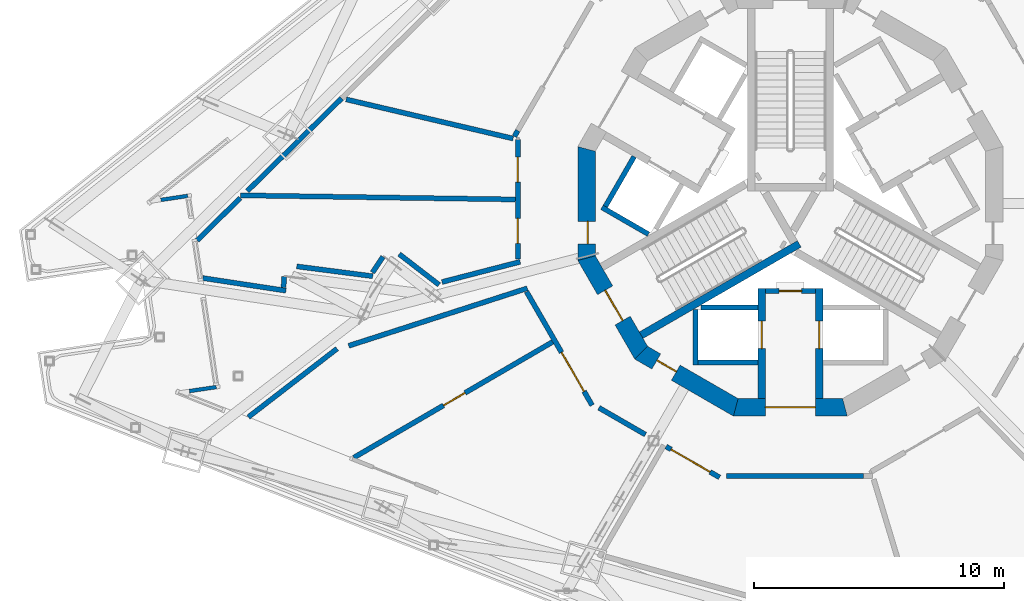
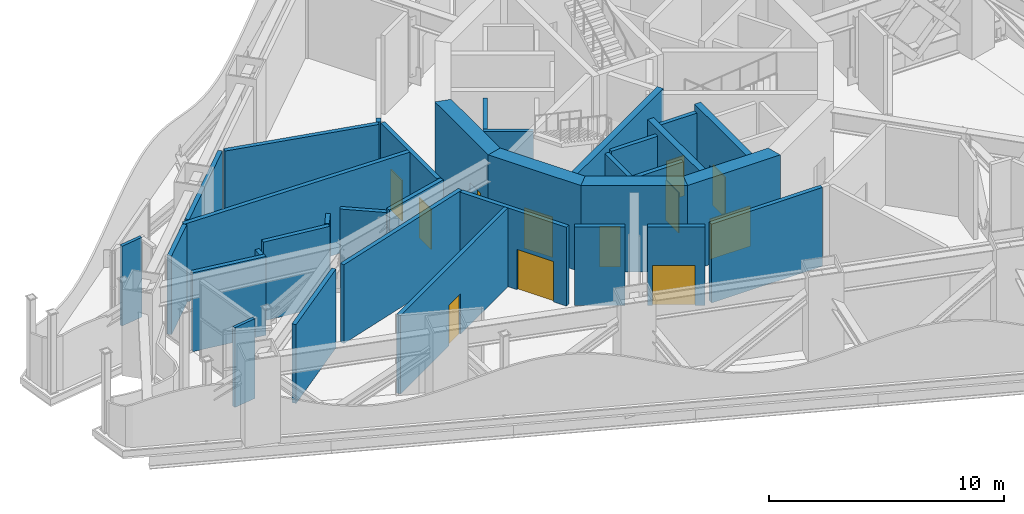
# One storey, part 10 of 27: 34 walls, 12 doors, 12 openings.
"""IFC4 building model written with IfcOpenShell, lengths in metres."""

import ifcopenshell
import ifcopenshell.guid

model = None  # the IFC model being written
_history = None  # IfcOwnerHistory: only IFC2X3 demands one
_inside = {}  # id of a spatial element -> (the spatial element, [elements in it])
_under = {}  # id of a project, library or spatial element -> (it, [spatial elements below it])
_declared = {}  # id of a project -> (the project, [libraries it declares])
_typed = {}  # id of a type object -> (the type object, [elements of that type])
_made_of = {}  # id of a material, layer set ... -> (it, [elements and type objects made of it])


def new_model(schema):
    """Start an empty IFC model of exactly this schema.

    Asked for "IFC4X3", IfcOpenShell would pick the latest addendum, in which some entities
    have other attributes; the version numbers below select the first issue.
    IFC2X3 requires an IfcOwnerHistory on every rooted entity: one is made here for all.
    """
    global model, _history
    if schema == "IFC4X3":
        model = ifcopenshell.file(schema_version=(4, 3, 0, 0))
    else:
        model = ifcopenshell.file(schema=schema)
    _inside.clear()
    _under.clear()
    _declared.clear()
    _typed.clear()
    _made_of.clear()
    _history = None
    if model.schema == "IFC2X3":
        org = make("IfcOrganization", Name="unknown")
        user = make(
            "IfcPersonAndOrganization",
            ThePerson=make("IfcPerson", FamilyName="unknown"),
            TheOrganization=org,
        )
        app = make(
            "IfcApplication",
            ApplicationDeveloper=org,
            Version="unknown",
            ApplicationFullName="unknown",
            ApplicationIdentifier="unknown",
        )
        _history = make(
            "IfcOwnerHistory",
            OwningUser=user,
            OwningApplication=app,
            ChangeAction="ADDED",
            CreationDate=0,
        )
    return model


def make(cls, **values):
    """One entity of the class cls with the attributes given. An attribute that is None is left unset."""
    return model.create_entity(
        cls, **{name: value for name, value in values.items() if value is not None}
    )


def rooted(cls, **values):
    """An entity with a GlobalId (a new one), such as an element, a storey or a relation."""
    return make(cls, GlobalId=ifcopenshell.guid.new(), OwnerHistory=_history, **values)


def si_unit(unit_type, name, prefix=None):
    """IfcSIUnit, for example si_unit("LENGTHUNIT", "METRE", prefix="MILLI")."""
    return make("IfcSIUnit", UnitType=unit_type, Prefix=prefix, Name=name)


def assignment(units):
    """IfcUnitAssignment: the units of a project."""
    return None if units is None else make("IfcUnitAssignment", Units=units)


def point(xyz):
    """IfcCartesianPoint."""
    return None if xyz is None else make("IfcCartesianPoint", Coordinates=xyz)


def direction(xyz):
    """IfcDirection."""
    return None if xyz is None else make("IfcDirection", DirectionRatios=xyz)


def frame(location, z_axis=None, x_axis=None):
    """IfcAxis2Placement3D, a coordinate frame: its origin and axes. An axis left out is left unset."""
    return make(
        "IfcAxis2Placement3D",
        Location=point(location),
        Axis=direction(z_axis),
        RefDirection=direction(x_axis),
    )


def frame_2d(location, x_axis=None):
    """IfcAxis2Placement2D, a coordinate frame in the plane: its origin and x axis."""
    return make(
        "IfcAxis2Placement2D", Location=point(location), RefDirection=direction(x_axis)
    )


def origin():
    """The frame at (0, 0, 0) with its axes left unset."""
    return frame((0.0, 0.0, 0.0))


def place(relative_to, where):
    """IfcLocalPlacement: puts the frame where relative to a parent placement (None: the world)."""
    return make(
        "IfcLocalPlacement", PlacementRelTo=relative_to, RelativePlacement=where
    )


def context(
    kind, dimensions, precision=None, world=None, true_north=None, identifier=None
):
    """IfcGeometricRepresentationContext, for example the 3D "Model" context."""
    return make(
        "IfcGeometricRepresentationContext",
        ContextIdentifier=identifier,
        ContextType=kind,
        CoordinateSpaceDimension=dimensions,
        Precision=precision,
        WorldCoordinateSystem=world,
        TrueNorth=true_north,
    )


def subcontext(parent, identifier, kind, view, scale=None):
    """IfcGeometricRepresentationSubContext, for example "Body" below "Model"."""
    return make(
        "IfcGeometricRepresentationSubContext",
        ContextIdentifier=identifier,
        ContextType=kind,
        ParentContext=parent,
        TargetScale=scale,
        TargetView=view,
    )


def project(units=None, contexts=None):
    """IfcProject with its units and contexts."""
    return rooted(
        "IfcProject",
        Name="project",
        RepresentationContexts=contexts,
        UnitsInContext=assignment(units),
    )


def spatial(cls, under=None, at=None, **own):
    """A site, building, storey or space (cls), placed at a placement, below another one or the project."""
    s = rooted(cls, ObjectPlacement=at, **own)
    if under is not None:
        _under.setdefault(under.id(), (under, []))[1].append(s)
    return s


def polyline(points):
    """IfcPolyline through the points."""
    return make("IfcPolyline", Points=[point(p) for p in points])


def profile(cls, at=None, kind="AREA", **sizes):
    """A parametric profile (cls). Its sizes go by their IFC names, for example OverallWidth=200.0."""
    return make(cls, ProfileType=kind, Position=at, **sizes)


def rectangle(**sizes):
    """IfcRectangleProfileDef."""
    return profile("IfcRectangleProfileDef", **sizes)


def outline(outer, holes=None, kind="AREA"):
    """IfcArbitraryClosedProfileDef: a profile drawn as a closed curve; with holes, ...WithVoids."""
    if holes is None:
        return make("IfcArbitraryClosedProfileDef", ProfileType=kind, OuterCurve=outer)
    return make(
        "IfcArbitraryProfileDefWithVoids",
        ProfileType=kind,
        OuterCurve=outer,
        InnerCurves=holes,
    )


def extrude(swept, where, along, depth):
    """IfcExtrudedAreaSolid: the profile swept, set in the frame where, extruded along a direction by depth."""
    return make(
        "IfcExtrudedAreaSolid",
        SweptArea=swept,
        Position=where,
        ExtrudedDirection=direction(along),
        Depth=depth,
    )


def shape(context_of_items, identifier, shape_type, items):
    """IfcShapeRepresentation: the items that make up one representation, for example the "Body"."""
    return make(
        "IfcShapeRepresentation",
        ContextOfItems=context_of_items,
        RepresentationIdentifier=identifier,
        RepresentationType=shape_type,
        Items=items,
    )


def material(Name=None, Category=None):
    """IfcMaterial."""
    return make("IfcMaterial", Name=Name, Category=Category)


def layer(
    of_material, thickness, ventilated=None, Name=None, Category=None, Priority=None
):
    """IfcMaterialLayer: one layer of a wall or slab, of a material (None: an air gap)."""
    return make(
        "IfcMaterialLayer",
        Material=of_material,
        LayerThickness=thickness,
        IsVentilated=ventilated,
        Name=Name,
        Category=Category,
        Priority=Priority,
    )


def layer_set(layers, Name=None):
    """IfcMaterialLayerSet."""
    return make("IfcMaterialLayerSet", MaterialLayers=layers, LayerSetName=Name)


def made_of(thing, what):
    """Note that an element or type object is made of a material, layer set ...; save() writes the relation."""
    if what is not None:
        _made_of.setdefault(what.id(), (what, []))[1].append(thing)
    return thing


def type_object(cls, material=None, **own):
    """A type object (cls), such as IfcWallType, which elements share."""
    return made_of(rooted(cls, **own), material)


def element(
    cls,
    number,
    at=None,
    inside=None,
    cuts=None,
    type_object=None,
    material=None,
    context=None,
    identifier="Body",
    shape_type=None,
    held_by="IfcProductDefinitionShape",
    body=None,
    shapes=None,
    **own,
):
    """One element of the class cls, such as IfcWall. Its Tag is "e" and its number.

    at: its placement. inside: the storey or other place that contains it. cuts: it is an
    opening in that element (IfcRelVoidsElement). A single representation is given by context,
    identifier, shape_type and body (its items); several are given by shapes. held_by: the class
    of the entity that holds the representations. save() writes the other relations.
    """
    e = rooted(cls, Tag="e%d" % number, ObjectPlacement=at, **own)
    if body is not None:
        shapes = [shape(context, identifier, shape_type, body)]
    if shapes is not None:
        e.Representation = make(held_by, Representations=shapes)
    if inside is not None:
        _inside.setdefault(inside.id(), (inside, []))[1].append(e)
    if cuts is not None:
        rooted(
            "IfcRelVoidsElement", RelatingBuildingElement=cuts, RelatedOpeningElement=e
        )
    if type_object is not None:
        _typed.setdefault(type_object.id(), (type_object, []))[1].append(e)
    return made_of(e, material)


def fill(opening, filler):
    """IfcRelFillsElement: the door or window that sits in an opening."""
    return rooted(
        "IfcRelFillsElement",
        RelatingOpeningElement=opening,
        RelatedBuildingElement=filler,
    )


def aggregate(whole, parts):
    """IfcRelAggregates: a whole, such as a stair, and the parts it consists of."""
    return rooted("IfcRelAggregates", RelatingObject=whole, RelatedObjects=parts)


def save(model, path):
    """Write the relations noted so far, then the file.

    IfcRelAggregates (storeys below a building ...), IfcRelContainedInSpatialStructure (elements
    in a storey), IfcRelDefinesByType, IfcRelAssociatesMaterial and IfcRelDeclares: one each for
    every whole, place, type object, material and project.
    """
    for whole, parts in _under.values():
        aggregate(whole, parts)
    for where, things in _inside.values():
        rooted(
            "IfcRelContainedInSpatialStructure",
            RelatedElements=things,
            RelatingStructure=where,
        )
    for kind, things in _typed.values():
        rooted("IfcRelDefinesByType", RelatedObjects=things, RelatingType=kind)
    for what, things in _made_of.values():
        rooted("IfcRelAssociatesMaterial", RelatedObjects=things, RelatingMaterial=what)
    for by, libraries in _declared.values():
        rooted("IfcRelDeclares", RelatingContext=by, RelatedDefinitions=libraries)
    model.write(path)


model = new_model("IFC4")

# Units and contexts
model_context = context("Model", 3, precision=1e-05, world=origin(), true_north=direction((0.0, 1.0)))
body_context = subcontext(model_context, "Body", "Model", "MODEL_VIEW")
ifc_project = project(units=[si_unit("LENGTHUNIT", "METRE"), si_unit("AREAUNIT", "SQUARE_METRE"), si_unit("VOLUMEUNIT", "CUBIC_METRE"), si_unit("PLANEANGLEUNIT", "RADIAN"), si_unit("MASSUNIT", "GRAM", prefix="KILO")], contexts=[model_context])

# Site, building, storey
site_placement = place(None, origin())
site = spatial("IfcSite", under=ifc_project, at=site_placement, CompositionType="ELEMENT")
building_placement = place(site_placement, origin())
building = spatial("IfcBuilding", under=site, at=building_placement, Name="Trine Commons Tower", CompositionType="ELEMENT")
storey_placement = place(building_placement, frame((0.0, 0.0, 230.39990234375)))
storey = spatial("IfcBuildingStorey", under=building, at=storey_placement, Name="L60", CompositionType="ELEMENT", Elevation=230.39990234375)

# Walls
ifc_material_1 = material(Name="Plasterboard on steel stud", Category="steel")
ifc_layer_1 = layer(ifc_material_1, 0.199951171875)
ifc_layer_set_1 = layer_set([ifc_layer_1], Name="Plasterboard on steel stud")
wall_type_1 = type_object("IfcWallType", Name="Fire wall 200 mm, EI 120", PredefinedType="PARTITIONING", material=ifc_layer_set_1)
wall_1_placement = place(storey_placement, frame((56.278076171875, 61.02880859375, 0.0), z_axis=(0.0, 0.0, 1.0), x_axis=(0.713230309235, 0.700929758242, 0.0)))
element("IfcWall", 1, at=wall_1_placement, inside=storey, type_object=wall_type_1, Name="Partition M60001", PredefinedType="PARTITIONING", context=body_context, shape_type="SweptSolid", body=[
    extrude(rectangle(XDim=2.42138671875, YDim=0.199951171875, at=frame_2d((1.210693359375, 0.0))), origin(), (0.0, 0.0, 1.0), 4.10009765625),
])
wall_2_placement = place(storey_placement, frame((56.50341796875, 59.5205078125, 0.0), z_axis=(0.0, 0.0, 1.0), x_axis=(0.988644654354, -0.150272244333, 0.0)))
element("IfcWall", 2, at=wall_2_placement, inside=storey, type_object=wall_type_1, Name="Partition M60002", PredefinedType="PARTITIONING", context=body_context, shape_type="SweptSolid", body=[
    extrude(rectangle(XDim=3.361328125, YDim=0.199951171875, at=frame_2d((1.6806640625, 0.0))), origin(), (0.0, 0.0, 1.0), 4.10009765625),
])
wall_3_placement = place(storey_placement, frame((58.00634765625, 62.8271484375, 0.0), z_axis=(0.0, 0.0, 1.0), x_axis=(0.999889292097, -0.014879635424, 0.0)))
element("IfcWall", 3, at=wall_3_placement, inside=storey, type_object=wall_type_1, Name="Partition M60003", PredefinedType="PARTITIONING", context=body_context, shape_type="SweptSolid", body=[
    extrude(rectangle(XDim=10.9931640625, YDim=0.199951171875, at=frame_2d((5.49658203125, 0.0))), origin(), (0.0, 0.0, 1.0), 4.10009765625),
])
wall_4_placement = place(storey_placement, frame((58.279052734375, 62.995361328125, 0.0), z_axis=(0.0, 0.0, 1.0), x_axis=(0.713259176596, 0.700900383079, 0.0)))
element("IfcWall", 4, at=wall_4_placement, inside=storey, type_object=wall_type_1, Name="Partition M60004", PredefinedType="PARTITIONING", context=body_context, shape_type="SweptSolid", body=[
    extrude(rectangle(XDim=5.294189453125, YDim=0.199951171875, at=frame_2d((2.64697265625, 0.0))), origin(), (0.0, 0.0, 1.0), 4.10009765625),
])
wall_5_placement = place(storey_placement, frame((58.324951171875, 53.961181640625, 0.0), z_axis=(0.0, 0.0, 1.0), x_axis=(0.791837226979, 0.610732188418, 0.0)))
element("IfcWall", 5, at=wall_5_placement, inside=storey, type_object=wall_type_1, Name="Partition M60005", PredefinedType="PARTITIONING", context=body_context, shape_type="SweptSolid", body=[
    extrude(rectangle(XDim=4.4794921875, YDim=0.199951171875, at=frame_2d((2.23974609375, 0.0))), origin(), (0.0, 0.0, 1.0), 4.10009765625),
])
wall_6_placement = place(storey_placement, frame((59.73291015625, 59.141357421875, 0.0), z_axis=(0.0, 0.0, 1.0), x_axis=(0.046806415779, 0.99890397909, 0.0)))
element("IfcWall", 6, at=wall_6_placement, inside=storey, type_object=wall_type_1, Name="Partition M60006", PredefinedType="PARTITIONING", context=body_context, shape_type="SweptSolid", body=[
    extrude(rectangle(XDim=0.443359375, YDim=0.199951171875, at=frame_2d((0.2216796875, 0.0))), origin(), (0.0, 0.0, 1.0), 4.10009765625),
])
wall_7_placement = place(storey_placement, frame((60.25927734375, 59.9873046875, 0.0), z_axis=(0.0, 0.0, 1.0), x_axis=(0.991722040769, -0.128403247051, 0.0)))
element("IfcWall", 7, at=wall_7_placement, inside=storey, type_object=wall_type_1, Name="Partition M60007", PredefinedType="PARTITIONING", context=body_context, shape_type="SweptSolid", body=[
    extrude(rectangle(XDim=3.06689453125, YDim=0.199951171875, at=frame_2d((1.533447265625, 0.0))), origin(), (0.0, 0.0, 1.0), 4.10009765625),
])
wall_8_placement = place(storey_placement, frame((62.33837890625, 56.811767578125, 0.0), z_axis=(0.0, 0.0, 1.0), x_axis=(0.951845913642, 0.306576836507, 0.0)))
element("IfcWall", 8, at=wall_8_placement, inside=storey, type_object=wall_type_1, Name="Partition M60008", PredefinedType="PARTITIONING", context=body_context, shape_type="SweptSolid", body=[
    extrude(rectangle(XDim=7.503173828125, YDim=0.199951171875, at=frame_2d((3.75146484375, 0.0))), origin(), (0.0, 0.0, 1.0), 4.10009765625),
])
wall_9_placement = place(storey_placement, frame((62.2333984375, 66.666015625, 0.0), z_axis=(0.0, 0.0, 1.0), x_axis=(0.97359185166, -0.228295655635, 0.0)))
element("IfcWall", 9, at=wall_9_placement, inside=storey, type_object=wall_type_1, Name="Partition M60009", PredefinedType="PARTITIONING", context=body_context, shape_type="SweptSolid", body=[
    extrude(rectangle(XDim=6.8623046875, YDim=0.199951171875, at=frame_2d((3.43115234375, 0.0))), origin(), (0.0, 0.0, 1.0), 4.10009765625),
])

# Wall, opening, door
wall_10_placement = place(storey_placement, frame((70.4921875, 56.967041015625, 0.0), z_axis=(0.0, 0.0, 1.0), x_axis=(-0.864300097116, -0.502976482676, 0.0)))
wall_10 = element("IfcWall", 10, at=wall_10_placement, inside=storey, type_object=wall_type_1, Name="Partition M60011", PredefinedType="PARTITIONING", context=body_context, shape_type="SweptSolid", body=[
    extrude(rectangle(XDim=9.2001953125, YDim=0.199951171875, at=frame_2d((4.60009765625, 0.0))), origin(), (0.0, 0.0, 1.0), 4.10009765625),
])
opening_1_placement = place(wall_10_placement, frame((4.0498046875, 0.0, 0.0)))
opening_1 = element("IfcOpeningElement", 11, at=opening_1_placement, cuts=wall_10, Name="Opening D-M6001", PredefinedType="OPENING", context=body_context, shape_type="SweptSolid", body=[
    extrude(rectangle(XDim=1.0, YDim=2.10009765625, at=frame_2d((0.5, 1.050048828125))), frame((0.0, 0.10986328125, 0.0), z_axis=(0.0, -1.0, 0.0), x_axis=(1.0, 0.0, 0.0)), (0.0, 0.0, 1.0), 0.219970703125),
])
ifc_material_2 = material(Name="Timber fire door set", Category="wood")
door_type_1 = type_object("IfcDoorType", Name="Single swing door 1000x2100, FD60", OperationType="SINGLE_SWING_LEFT", PredefinedType="DOOR", material=ifc_material_2)
door_1_placement = place(opening_1_placement, origin())
door_1 = element("IfcDoor", 12, at=door_1_placement, inside=storey, type_object=door_type_1, Name="Door D-M6001", OperationType="SINGLE_SWING_LEFT", OverallHeight=2.10009765625, OverallWidth=1.0, PredefinedType="DOOR", context=body_context, shape_type="SweptSolid", body=[
    extrude(rectangle(XDim=1.0, YDim=2.10009765625, at=frame_2d((0.5, 1.050048828125))), frame((0.0, 0.02490234375, 0.0), z_axis=(0.0, -1.0, 0.0), x_axis=(1.0, 0.0, 0.0)), (0.0, 0.0, 1.0), 0.050048828125),
])
fill(opening_1, door_1)

# Walls
wall_11_placement = place(storey_placement, frame((63.290283203125, 59.740234375, 0.0), z_axis=(0.0, 0.0, 1.0), x_axis=(0.552610313271, 0.83343976487, 0.0)))
element("IfcWall", 13, at=wall_11_placement, inside=storey, type_object=wall_type_1, Name="Partition M60012", PredefinedType="PARTITIONING", context=body_context, shape_type="SweptSolid", body=[
    extrude(rectangle(XDim=0.75537109375, YDim=0.199951171875, at=frame_2d((0.377685546875, 0.0))), origin(), (0.0, 0.0, 1.0), 4.10009765625),
])
wall_12_placement = place(storey_placement, frame((64.357421875, 60.4775390625, 0.0), z_axis=(0.0, 0.0, 1.0), x_axis=(0.792050547658, -0.610455510218, 0.0)))
element("IfcWall", 14, at=wall_12_placement, inside=storey, type_object=wall_type_1, Name="Partition M60013", PredefinedType="PARTITIONING", context=body_context, shape_type="SweptSolid", body=[
    extrude(rectangle(XDim=2.01123046875, YDim=0.199951171875, at=frame_2d((1.005615234375, 0.0))), origin(), (0.0, 0.0, 1.0), 4.10009765625),
])
wall_13_placement = place(storey_placement, frame((66.0693359375, 59.362060546875, 0.0), z_axis=(0.0, 0.0, 1.0), x_axis=(0.968139641114, 0.250410932875, 0.0)))
element("IfcWall", 15, at=wall_13_placement, inside=storey, type_object=wall_type_1, Name="Partition M60014", PredefinedType="PARTITIONING", context=body_context, shape_type="SweptSolid", body=[
    extrude(rectangle(XDim=3.22802734375, YDim=0.199951171875, at=frame_2d((1.614013671875, 0.0))), origin(), (0.0, 0.0, 1.0), 4.10009765625),
])
wall_14_placement = place(storey_placement, frame((68.962890625, 65.18359375, 0.0), z_axis=(0.0, 0.0, 1.0), x_axis=(0.500322817589, 0.865838944724, 0.0)))
element("IfcWall", 16, at=wall_14_placement, inside=storey, type_object=wall_type_1, Name="Partition M60015", PredefinedType="PARTITIONING", context=body_context, shape_type="SweptSolid", body=[
    extrude(rectangle(XDim=0.269775390625, YDim=0.199951171875, at=frame_2d((0.134765625, 0.0))), origin(), (0.0, 0.0, 1.0), 4.10009765625),
])

# Wall, openings, doors
wall_15_placement = place(storey_placement, frame((69.099853515625, 60.274658203125, 0.0), z_axis=(0.0, 0.0, 1.0), x_axis=(0.0, 1.0, 0.0)))
wall_15 = element("IfcWall", 17, at=wall_15_placement, inside=storey, type_object=wall_type_1, Name="Partition M60016", PredefinedType="PARTITIONING", context=body_context, shape_type="SweptSolid", body=[
    extrude(rectangle(XDim=4.781494140625, YDim=0.199951171875, at=frame_2d((2.390625, 0.0))), origin(), (0.0, 0.0, 1.0), 4.10009765625),
])
opening_2_placement = place(wall_15_placement, frame((0.629150390625, 0.0, 0.0)))
opening_2 = element("IfcOpeningElement", 18, at=opening_2_placement, cuts=wall_15, Name="Opening D-M6002", PredefinedType="OPENING", context=body_context, shape_type="SweptSolid", body=[
    extrude(rectangle(XDim=1.0, YDim=2.10009765625, at=frame_2d((0.5, 1.050048828125))), frame((0.0, 0.10986328125, 0.0), z_axis=(0.0, -1.0, 0.0), x_axis=(1.0, 0.0, 0.0)), (0.0, 0.0, 1.0), 0.219970703125),
])
opening_3_placement = place(wall_15_placement, frame((3.084228515625, 0.0, 0.0)))
opening_3 = element("IfcOpeningElement", 19, at=opening_3_placement, cuts=wall_15, Name="Opening D-M6003", PredefinedType="OPENING", context=body_context, shape_type="SweptSolid", body=[
    extrude(rectangle(XDim=1.0, YDim=2.10009765625, at=frame_2d((0.5, 1.050048828125))), frame((0.0, 0.10986328125, 0.0), z_axis=(0.0, -1.0, 0.0), x_axis=(1.0, 0.0, 0.0)), (0.0, 0.0, 1.0), 0.219970703125),
])
door_2_placement = place(opening_2_placement, origin())
door_2 = element("IfcDoor", 20, at=door_2_placement, inside=storey, type_object=door_type_1, Name="Door D-M6002", OperationType="SINGLE_SWING_LEFT", OverallHeight=2.10009765625, OverallWidth=1.0, PredefinedType="DOOR", context=body_context, shape_type="SweptSolid", body=[
    extrude(rectangle(XDim=1.0, YDim=2.10009765625, at=frame_2d((0.5, 1.050048828125))), frame((0.0, 0.02490234375, 0.0), z_axis=(0.0, -1.0, 0.0), x_axis=(1.0, 0.0, 0.0)), (0.0, 0.0, 1.0), 0.050048828125),
])
fill(opening_2, door_2)
door_3_placement = place(opening_3_placement, origin())
door_3 = element("IfcDoor", 21, at=door_3_placement, inside=storey, type_object=door_type_1, Name="Door D-M6003", OperationType="SINGLE_SWING_LEFT", OverallHeight=2.10009765625, OverallWidth=1.0, PredefinedType="DOOR", context=body_context, shape_type="SweptSolid", body=[
    extrude(rectangle(XDim=1.0, YDim=2.10009765625, at=frame_2d((0.5, 1.050048828125))), frame((0.0, 0.02490234375, 0.0), z_axis=(0.0, -1.0, 0.0), x_axis=(1.0, 0.0, 0.0)), (0.0, 0.0, 1.0), 0.050048828125),
])
fill(opening_3, door_3)

# Wall, opening, door
wall_16_placement = place(storey_placement, frame((69.44873046875, 58.974853515625, 0.0), z_axis=(0.0, 0.0, 1.0), x_axis=(0.500009951967, -0.866019657937, 0.0)))
wall_16 = element("IfcWall", 22, at=wall_16_placement, inside=storey, type_object=wall_type_1, Name="Partition M60019", PredefinedType="PARTITIONING", context=body_context, shape_type="SweptSolid", body=[
    extrude(rectangle(XDim=5.24365234375, YDim=0.199951171875, at=frame_2d((2.621826171875, 0.0))), origin(), (0.0, 0.0, 1.0), 4.10009765625),
])
opening_4_placement = place(wall_16_placement, frame((2.8017578125, 0.0, 0.0)))
opening_4 = element("IfcOpeningElement", 23, at=opening_4_placement, cuts=wall_16, Name="Opening D-M6005", PredefinedType="OPENING", context=body_context, shape_type="SweptSolid", body=[
    extrude(rectangle(XDim=1.800048828125, YDim=2.10009765625, at=frame_2d((0.89990234375, 1.050048828125))), frame((0.0, 0.10986328125, 0.0), z_axis=(0.0, -1.0, 0.0), x_axis=(1.0, 0.0, 0.0)), (0.0, 0.0, 1.0), 0.219970703125),
])
door_type_2 = type_object("IfcDoorType", Name="Double swing door 1800x2100, FD60", OperationType="DOUBLE_DOOR_DOUBLE_SWING", PredefinedType="DOOR", material=ifc_material_2)
door_4_placement = place(opening_4_placement, origin())
door_4 = element("IfcDoor", 24, at=door_4_placement, inside=storey, type_object=door_type_2, Name="Door D-M6005", OperationType="DOUBLE_DOOR_DOUBLE_SWING", OverallHeight=2.10009765625, OverallWidth=1.800048828125, PredefinedType="DOOR", context=body_context, shape_type="SweptSolid", body=[
    extrude(rectangle(XDim=1.800048828125, YDim=2.10009765625, at=frame_2d((0.89990234375, 1.050048828125))), frame((0.0, 0.02490234375, 0.0), z_axis=(0.0, -1.0, 0.0), x_axis=(1.0, 0.0, 0.0)), (0.0, 0.0, 1.0), 0.050048828125),
])
fill(opening_4, door_4)

# Wall
wall_17_placement = place(storey_placement, frame((72.34375, 54.333984375, 0.0), z_axis=(0.0, 0.0, 1.0), x_axis=(0.866037924238, -0.499978313311, 0.0)))
element("IfcWall", 25, at=wall_17_placement, inside=storey, type_object=wall_type_1, Name="Partition M60021", PredefinedType="PARTITIONING", context=body_context, shape_type="SweptSolid", body=[
    extrude(rectangle(XDim=2.1474609375, YDim=0.199951171875, at=frame_2d((1.07373046875, 0.0))), origin(), (0.0, 0.0, 1.0), 4.10009765625),
])

# Wall, opening, door
wall_18_placement = place(storey_placement, frame((75.030517578125, 52.78271484375, 0.0), z_axis=(0.0, 0.0, 1.0), x_axis=(0.866028953763, -0.499993851206, 0.0)))
wall_18 = element("IfcWall", 26, at=wall_18_placement, inside=storey, type_object=wall_type_1, Name="Partition M60026", PredefinedType="PARTITIONING", context=body_context, shape_type="SweptSolid", body=[
    extrude(rectangle(XDim=2.4658203125, YDim=0.199951171875, at=frame_2d((1.23291015625, 0.0))), origin(), (0.0, 0.0, 1.0), 4.10009765625),
])
opening_5_placement = place(wall_18_placement, frame((0.23046875, 0.0, 0.0)))
opening_5 = element("IfcOpeningElement", 27, at=opening_5_placement, cuts=wall_18, Name="Opening D-M6007", PredefinedType="OPENING", context=body_context, shape_type="SweptSolid", body=[
    extrude(rectangle(XDim=1.800048828125, YDim=2.10009765625, at=frame_2d((0.89990234375, 1.050048828125))), frame((0.0, 0.10986328125, 0.0), z_axis=(0.0, -1.0, 0.0), x_axis=(1.0, 0.0, 0.0)), (0.0, 0.0, 1.0), 0.219970703125),
])
door_5_placement = place(opening_5_placement, origin())
door_5 = element("IfcDoor", 28, at=door_5_placement, inside=storey, type_object=door_type_2, Name="Door D-M6007", OperationType="DOUBLE_DOOR_DOUBLE_SWING", OverallHeight=2.10009765625, OverallWidth=1.800048828125, PredefinedType="DOOR", context=body_context, shape_type="SweptSolid", body=[
    extrude(rectangle(XDim=1.800048828125, YDim=2.10009765625, at=frame_2d((0.89990234375, 1.050048828125))), frame((0.0, 0.02490234375, 0.0), z_axis=(0.0, -1.0, 0.0), x_axis=(1.0, 0.0, 0.0)), (0.0, 0.0, 1.0), 0.050048828125),
])
fill(opening_5, door_5)

# Walls
wall_19_placement = place(storey_placement, frame((77.452392578125, 51.599853515625, 0.0), z_axis=(0.0, 0.0, 1.0), x_axis=(1.0, 0.0, 0.0)))
element("IfcWall", 29, at=wall_19_placement, inside=storey, type_object=wall_type_1, Name="Partition M60027", PredefinedType="PARTITIONING", context=body_context, shape_type="SweptSolid", body=[
    extrude(rectangle(XDim=5.46826171875, YDim=0.199951171875, at=frame_2d((2.734130859375, 0.0))), origin(), (0.0, 0.0, 1.0), 4.10009765625),
])
ifc_material_3 = material(Name="Aluminium-framed insulated wall panel", Category="aluminium")
ifc_layer_2 = layer(ifc_material_3, 0.14990234375)
ifc_layer_set_2 = layer_set([ifc_layer_2], Name="Aluminium-framed insulated wall panel")
wall_type_2 = type_object("IfcWallType", Name="Glazed frame wall 150, EI 60", PredefinedType="SOLIDWALL", material=ifc_layer_set_2)
wall_20_placement = place(storey_placement, frame((55.8203125, 54.978515625, 0.0), z_axis=(0.0, 0.0, 1.0), x_axis=(0.98902141065, 0.147772288596, 0.0)))
element("IfcWall", 30, at=wall_20_placement, inside=storey, type_object=wall_type_2, Name="Glazed frame wall L60 R10", PredefinedType="SOLIDWALL", context=body_context, shape_type="SweptSolid", body=[
    extrude(outline(polyline([(0.1494140625, 0.074951171875), (0.1494140625, -0.074951171875), (1.235107421875, -0.074951171875), (1.235107421875, 0.074951171875), (0.1494140625, 0.074951171875)])), origin(), (0.0, 0.0, 1.0), 4.150146484375),
])
wall_21_placement = place(storey_placement, frame((56.0078125, 62.822265625, 0.0), z_axis=(0.0, 0.0, 1.0), x_axis=(-0.98902141065, -0.147772288596, 0.0)))
element("IfcWall", 31, at=wall_21_placement, inside=storey, type_object=wall_type_2, Name="Glazed frame wall L60 R12", PredefinedType="SOLIDWALL", context=body_context, shape_type="SweptSolid", body=[
    extrude(outline(polyline([(0.110107421875, 0.074951171875), (0.110107421875, -0.074951171875), (1.19580078125, -0.074951171875), (1.19580078125, 0.074951171875), (0.110107421875, 0.074951171875)])), origin(), (0.0, 0.0, 1.0), 4.150146484375),
])

# Wall, opening, door
ifc_material_4 = material(Name="Fire-rated gypsum shaft wall system")
ifc_layer_3 = layer(ifc_material_4, 0.199951171875)
ifc_layer_set_3 = layer_set([ifc_layer_3], Name="Fire-rated gypsum shaft wall system")
wall_type_3 = type_object("IfcWallType", Name="Lobby end wall 200 mm, EI 120", PredefinedType="PARTITIONING", material=ifc_layer_set_3)
wall_22_placement = place(storey_placement, frame((79.0, 59.0, 0.0), z_axis=(0.0, 0.0, 1.0), x_axis=(1.0, 0.0, 0.0)))
wall_22 = element("IfcWall", 32, at=wall_22_placement, inside=storey, type_object=wall_type_3, Name="Lobby end wall L60", PredefinedType="PARTITIONING", context=body_context, shape_type="SweptSolid", body=[
    extrude(rectangle(XDim=2.0, YDim=0.199951171875, at=frame_2d((1.0, 0.0))), origin(), (0.0, 0.0, 1.0), 4.150146484375),
])
opening_6_placement = place(wall_22_placement, frame((0.550048828125, 0.0, 0.0)))
opening_6 = element("IfcOpeningElement", 33, at=opening_6_placement, cuts=wall_22, Name="Opening K17.09", PredefinedType="OPENING", context=body_context, shape_type="SweptSolid", body=[
    extrude(rectangle(XDim=0.89990234375, YDim=2.10009765625, at=frame_2d((0.449951171875, 1.050048828125))), frame((0.0, 0.10986328125, 0.0), z_axis=(0.0, -1.0, 0.0), x_axis=(1.0, 0.0, 0.0)), (0.0, 0.0, 1.0), 0.219970703125),
])
ifc_material_5 = material(Name="Steel door leaf, fire-rated", Category="steel")
door_type_3 = type_object("IfcDoorType", Name="Riser access door, single leaf 900 x 2100, FD60", OperationType="SINGLE_SWING_LEFT", PredefinedType="DOOR", material=ifc_material_5)
door_6_placement = place(opening_6_placement, frame((0.89990234375, 0.0, 0.0), z_axis=(0.0, 0.0, 1.0), x_axis=(-1.0, 0.0, 0.0)))
door_6 = element("IfcDoor", 34, at=door_6_placement, inside=storey, type_object=door_type_3, Name="Riser door, Communications riser L60", OperationType="SINGLE_SWING_RIGHT", OverallHeight=2.10009765625, OverallWidth=0.89990234375, PredefinedType="DOOR", context=body_context, shape_type="SweptSolid", body=[
    extrude(rectangle(XDim=0.89990234375, YDim=2.10009765625, at=frame_2d((0.449951171875, 1.050048828125))), frame((0.0, 0.02490234375, 0.0), z_axis=(0.0, -1.0, 0.0), x_axis=(1.0, 0.0, 0.0)), (0.0, 0.0, 1.0), 0.050048828125),
])
fill(opening_6, door_6)

ifc_material_6 = material(Name="Concrete C50/60", Category="concrete")
ifc_layer_4 = layer(ifc_material_6, 0.300048828125)
ifc_layer_set_4 = layer_set([ifc_layer_4], Name="Concrete C50/60")
wall_type_4 = type_object("IfcWallType", Name="RC shear wall 300 mm, C50/60", PredefinedType="SHEAR", material=ifc_layer_set_4)
wall_23_placement = place(storey_placement, frame((78.85009765625, 59.10009765625, 0.0), z_axis=(0.0, 0.0, 1.0), x_axis=(0.0, -1.0, 0.0)))
wall_23 = element("IfcWall", 35, at=wall_23_placement, inside=storey, type_object=wall_type_4, Name="Core cross wall SWC-03 L60", PredefinedType="SHEAR", context=body_context, shape_type="SweptSolid", body=[
    extrude(rectangle(XDim=4.400146484375, YDim=0.300048828125, at=frame_2d((2.2001953125, 0.0))), origin(), (0.0, 0.0, 1.0), 4.5),
])
opening_7_placement = place(wall_23_placement, frame((1.300048828125, 0.0, 0.0)))
opening_7 = element("IfcOpeningElement", 36, at=opening_7_placement, cuts=wall_23, Name="Opening LD10", PredefinedType="OPENING", context=body_context, shape_type="SweptSolid", body=[
    extrude(rectangle(XDim=1.10009765625, YDim=2.10009765625, at=frame_2d((0.550048828125, 1.050048828125))), frame((0.0, 0.159912109375, 0.0), z_axis=(0.0, -1.0, 0.0), x_axis=(1.0, 0.0, 0.0)), (0.0, 0.0, 1.0), 0.320068359375),
])
ifc_material_7 = material(Name="Stainless steel sliding door leaves", Category="steel")
door_type_4 = type_object("IfcDoorType", Name="Lift landing door, centre-opening sliding 1100 x 2100, FD90", OperationType="DOUBLE_DOOR_SLIDING", PredefinedType="DOOR", material=ifc_material_7)
door_7_placement = place(opening_7_placement, origin())
door_7 = element("IfcDoor", 37, at=door_7_placement, inside=storey, type_object=door_type_4, Name="Lift landing door FF2 L60", OperationType="DOUBLE_DOOR_SLIDING", OverallHeight=2.10009765625, OverallWidth=1.10009765625, PredefinedType="DOOR", context=body_context, shape_type="SweptSolid", body=[
    extrude(rectangle(XDim=1.10009765625, YDim=2.10009765625, at=frame_2d((0.550048828125, 1.050048828125))), frame((0.0, 0.02490234375, 0.0), z_axis=(0.0, -1.0, 0.0), x_axis=(1.0, 0.0, 0.0)), (0.0, 0.0, 1.0), 0.050048828125),
])
fill(opening_7, door_7)

wall_24_placement = place(storey_placement, frame((81.14990234375, 59.10009765625, 0.0), z_axis=(0.0, 0.0, 1.0), x_axis=(0.0, -1.0, 0.0)))
wall_24 = element("IfcWall", 38, at=wall_24_placement, inside=storey, type_object=wall_type_4, Name="Core cross wall SWC-04 L60", PredefinedType="SHEAR", context=body_context, shape_type="SweptSolid", body=[
    extrude(rectangle(XDim=4.400146484375, YDim=0.300048828125, at=frame_2d((2.2001953125, 0.0))), origin(), (0.0, 0.0, 1.0), 4.5),
])
opening_8_placement = place(wall_24_placement, frame((1.300048828125, 0.0, 0.0)))
opening_8 = element("IfcOpeningElement", 39, at=opening_8_placement, cuts=wall_24, Name="Opening LD9", PredefinedType="OPENING", context=body_context, shape_type="SweptSolid", body=[
    extrude(rectangle(XDim=1.10009765625, YDim=2.10009765625, at=frame_2d((0.550048828125, 1.050048828125))), frame((0.0, 0.159912109375, 0.0), z_axis=(0.0, -1.0, 0.0), x_axis=(1.0, 0.0, 0.0)), (0.0, 0.0, 1.0), 0.320068359375),
])
door_8_placement = place(opening_8_placement, origin())
door_8 = element("IfcDoor", 40, at=door_8_placement, inside=storey, type_object=door_type_4, Name="Lift landing door FF1 L60", OperationType="DOUBLE_DOOR_SLIDING", OverallHeight=2.10009765625, OverallWidth=1.10009765625, PredefinedType="DOOR", context=body_context, shape_type="SweptSolid", body=[
    extrude(rectangle(XDim=1.10009765625, YDim=2.10009765625, at=frame_2d((0.550048828125, 1.050048828125))), frame((0.0, 0.02490234375, 0.0), z_axis=(0.0, -1.0, 0.0), x_axis=(1.0, 0.0, 0.0)), (0.0, 0.0, 1.0), 0.050048828125),
])
fill(opening_8, door_8)

# Wall
wall_25_placement = place(storey_placement, frame((80.35400390625, 60.885986328125, 0.0), z_axis=(0.0, 0.0, 1.0), x_axis=(-0.866032430508, -0.49998782916, 0.0)))
element("IfcWall", 41, at=wall_25_placement, inside=storey, type_object=wall_type_4, Name="Core cross wall SWC-14 L60", PredefinedType="SHEAR", context=body_context, shape_type="SweptSolid", body=[
    extrude(rectangle(XDim=7.300048828125, YDim=0.300048828125, at=frame_2d((3.64990234375, 0.0))), origin(), (0.0, 0.0, 1.0), 4.5),
])

# Wall, opening, door
ifc_layer_5 = layer(ifc_material_6, 0.699951171875)
ifc_layer_set_5 = layer_set([ifc_layer_5], Name="Concrete C50/60")
wall_type_5 = type_object("IfcWallType", Name="RC shear wall 700 mm, C50/60", PredefinedType="SHEAR", material=ifc_layer_set_5)
wall_26_placement = place(storey_placement, frame((71.849853515625, 64.777587890625, 0.0), z_axis=(0.0, 0.0, 1.0), x_axis=(0.0, -1.0, 0.0)))
wall_26 = element("IfcWall", 42, at=wall_26_placement, inside=storey, type_object=wall_type_5, Name="Core wall CWG-07 L60", PredefinedType="SHEAR", context=body_context, shape_type="SweptSolid", body=[
    extrude(outline(polyline([(0.0, -0.35009765625), (4.55517578125, -0.35009765625), (4.36767578125, 0.35009765625), (0.1875, 0.35009765625), (0.0, -0.35009765625)])), origin(), (0.0, 0.0, 1.0), 4.5),
])
opening_9_placement = place(wall_26_placement, frame((2.99169921875, 0.0, 0.0)))
opening_9 = element("IfcOpeningElement", 43, at=opening_9_placement, cuts=wall_26, Name="Opening K17.14", PredefinedType="OPENING", context=body_context, shape_type="SweptSolid", body=[
    extrude(rectangle(XDim=0.89990234375, YDim=2.10009765625, at=frame_2d((0.449951171875, 1.050048828125))), frame((0.0, 0.35986328125, 0.0), z_axis=(0.0, -1.0, 0.0), x_axis=(1.0, 0.0, 0.0)), (0.0, 0.0, 1.0), 0.719970703125),
])
door_type_5 = type_object("IfcDoorType", Name="Core room door, single leaf 900 x 2100, FD30S", OperationType="SINGLE_SWING_LEFT", PredefinedType="DOOR", material=ifc_material_5)
door_9_placement = place(opening_9_placement, origin())
door_9 = element("IfcDoor", 44, at=door_9_placement, inside=storey, type_object=door_type_5, Name="Door to Comms room L60", OperationType="SINGLE_SWING_RIGHT", OverallHeight=2.10009765625, OverallWidth=0.89990234375, PredefinedType="DOOR", context=body_context, shape_type="SweptSolid", body=[
    extrude(rectangle(XDim=0.89990234375, YDim=2.10009765625, at=frame_2d((0.449951171875, 1.050048828125))), frame((0.0, 0.0751953125, 0.0), z_axis=(0.0, -1.0, 0.0), x_axis=(1.0, 0.0, 0.0)), (0.0, 0.0, 1.0), 0.050048828125),
])
fill(opening_9, door_9)

wall_27_placement = place(storey_placement, frame((71.802978515625, 60.3974609375, 0.0), z_axis=(0.0, 0.0, 1.0), x_axis=(0.499983800959, -0.866034756103, 0.0)))
wall_27 = element("IfcWall", 45, at=wall_27_placement, inside=storey, type_object=wall_type_5, Name="Core wall CWG-08 L60", PredefinedType="SHEAR", context=body_context, shape_type="SweptSolid", body=[
    extrude(outline(polyline([(0.0, -0.35009765625), (4.55517578125, -0.35009765625), (4.36767578125, 0.35009765625), (0.1875, 0.35009765625), (0.0, -0.35009765625)])), origin(), (0.0, 0.0, 1.0), 4.5),
])
opening_10_placement = place(wall_27_placement, frame((1.577392578125, 0.0, 0.0)))
opening_10 = element("IfcOpeningElement", 46, at=opening_10_placement, cuts=wall_27, Name="Opening K17.02", PredefinedType="OPENING", context=body_context, shape_type="SweptSolid", body=[
    extrude(rectangle(XDim=1.39990234375, YDim=2.10009765625, at=frame_2d((0.699951171875, 1.050048828125))), frame((0.0, 0.35986328125, 0.0), z_axis=(0.0, -1.0, 0.0), x_axis=(1.0, 0.0, 0.0)), (0.0, 0.0, 1.0), 0.719970703125),
])
ifc_material_8 = material(Name="Steel door leaves, fire-rated", Category="steel")
door_type_6 = type_object("IfcDoorType", Name="Stair door, double leaf 1400 x 2100, FD90", OperationType="DOUBLE_DOOR_SINGLE_SWING", PredefinedType="DOOR", material=ifc_material_8)
door_10_placement = place(opening_10_placement, origin())
door_10 = element("IfcDoor", 47, at=door_10_placement, inside=storey, type_object=door_type_6, Name="Stair door to Exit stair ST2C L60", OperationType="DOUBLE_DOOR_SINGLE_SWING", OverallHeight=2.10009765625, OverallWidth=1.39990234375, PredefinedType="DOOR", context=body_context, shape_type="SweptSolid", body=[
    extrude(rectangle(XDim=1.39990234375, YDim=2.10009765625, at=frame_2d((0.699951171875, 1.050048828125))), frame((0.0, 0.02490234375, 0.0), z_axis=(0.0, -1.0, 0.0), x_axis=(1.0, 0.0, 0.0)), (0.0, 0.0, 1.0), 0.050048828125),
])
fill(opening_10, door_10)

wall_28_placement = place(storey_placement, frame((73.952392578125, 56.58056640625, 0.0), z_axis=(0.0, 0.0, 1.0), x_axis=(0.866034756103, -0.499983800959, 0.0)))
wall_28 = element("IfcWall", 48, at=wall_28_placement, inside=storey, type_object=wall_type_5, Name="Core wall CWG-09 L60", PredefinedType="SHEAR", context=body_context, shape_type="SweptSolid", body=[
    extrude(outline(polyline([(0.0, -0.35009765625), (4.55517578125, -0.35009765625), (4.36767578125, 0.35009765625), (0.1875, 0.35009765625), (0.0, -0.35009765625)])), origin(), (0.0, 0.0, 1.0), 4.5),
])
opening_11_placement = place(wall_28_placement, frame((0.791015625, 0.0, 0.0)))
opening_11 = element("IfcOpeningElement", 49, at=opening_11_placement, cuts=wall_28, Name="Opening K17.15", PredefinedType="OPENING", context=body_context, shape_type="SweptSolid", body=[
    extrude(rectangle(XDim=0.89990234375, YDim=2.10009765625, at=frame_2d((0.449951171875, 1.050048828125))), frame((0.0, 0.35986328125, 0.0), z_axis=(0.0, -1.0, 0.0), x_axis=(1.0, 0.0, 0.0)), (0.0, 0.0, 1.0), 0.719970703125),
])
door_11_placement = place(opening_11_placement, origin())
door_11 = element("IfcDoor", 50, at=door_11_placement, inside=storey, type_object=door_type_5, Name="Door to Plant room L60", OperationType="SINGLE_SWING_LEFT", OverallHeight=2.10009765625, OverallWidth=0.89990234375, PredefinedType="DOOR", context=body_context, shape_type="SweptSolid", body=[
    extrude(rectangle(XDim=0.89990234375, YDim=2.10009765625, at=frame_2d((0.449951171875, 1.050048828125))), frame((0.0, 0.0751953125, 0.0), z_axis=(0.0, -1.0, 0.0), x_axis=(1.0, 0.0, 0.0)), (0.0, 0.0, 1.0), 0.050048828125),
])
fill(opening_11, door_11)

wall_29_placement = place(storey_placement, frame((77.722412109375, 54.349853515625, 0.0), z_axis=(0.0, 0.0, 1.0), x_axis=(1.0, 0.0, 0.0)))
wall_29 = element("IfcWall", 51, at=wall_29_placement, inside=storey, type_object=wall_type_5, Name="Core wall CWG-10 L60", PredefinedType="SHEAR", context=body_context, shape_type="SweptSolid", body=[
    extrude(outline(polyline([(0.0, -0.35009765625), (4.55517578125, -0.35009765625), (4.36767578125, 0.35009765625), (0.1875, 0.35009765625), (0.0, -0.35009765625)])), origin(), (0.0, 0.0, 1.0), 4.5),
])
opening_12_placement = place(wall_29_placement, frame((1.277587890625, 0.0, 0.0)))
opening_12 = element("IfcOpeningElement", 52, at=opening_12_placement, cuts=wall_29, Name="Opening K17.08", PredefinedType="OPENING", context=body_context, shape_type="SweptSolid", body=[
    extrude(rectangle(XDim=2.0, YDim=2.10009765625, at=frame_2d((1.0, 1.050048828125))), frame((0.0, 0.35986328125, 0.0), z_axis=(0.0, -1.0, 0.0), x_axis=(1.0, 0.0, 0.0)), (0.0, 0.0, 1.0), 0.719970703125),
])
door_type_7 = type_object("IfcDoorType", Name="Lobby door, double leaf 2000 x 2100, FD60", OperationType="DOUBLE_DOOR_SINGLE_SWING", PredefinedType="DOOR", material=ifc_material_8)
door_12_placement = place(opening_12_placement, origin())
door_12 = element("IfcDoor", 53, at=door_12_placement, inside=storey, type_object=door_type_7, Name="Lobby door, Service and firefighting lobby L60", OperationType="DOUBLE_DOOR_SINGLE_SWING", OverallHeight=2.10009765625, OverallWidth=2.0, PredefinedType="DOOR", context=body_context, shape_type="SweptSolid", body=[
    extrude(rectangle(XDim=2.0, YDim=2.10009765625, at=frame_2d((1.0, 1.050048828125))), frame((0.0, 0.02490234375, 0.0), z_axis=(0.0, -1.0, 0.0), x_axis=(1.0, 0.0, 0.0)), (0.0, 0.0, 1.0), 0.050048828125),
])
fill(opening_12, door_12)

# Walls
ifc_layer_6 = layer(ifc_material_4, 0.199951171875)
ifc_layer_set_6 = layer_set([ifc_layer_6], Name="Fire-rated gypsum shaft wall system")
wall_type_6 = type_object("IfcWallType", Name="Shaft wall 200 mm, EI 120", PredefinedType="PARTITIONING", material=ifc_layer_set_6)
wall_30_placement = place(storey_placement, frame((73.7509765625, 64.3759765625, 0.0), z_axis=(0.0, 0.0, 1.0), x_axis=(-0.500136062276, -0.86594683394, 0.0)))
element("IfcWall", 54, at=wall_30_placement, inside=storey, type_object=wall_type_6, Name="Shaft wall L60", PredefinedType="PARTITIONING", context=body_context, shape_type="SweptSolid", body=[
    extrude(rectangle(XDim=2.299072265625, YDim=0.199951171875, at=frame_2d((1.1494140625, 0.0))), origin(), (0.0, 0.0, 1.0), 4.150146484375),
])
wall_31_placement = place(storey_placement, frame((74.324951171875, 61.27392578125, 0.0), z_axis=(0.0, 0.0, 1.0), x_axis=(-0.866102336459, 0.499866725018, 0.0)))
element("IfcWall", 55, at=wall_31_placement, inside=storey, type_object=wall_type_6, Name="Shaft wall L60", PredefinedType="PARTITIONING", context=body_context, shape_type="SweptSolid", body=[
    extrude(rectangle(XDim=2.1484375, YDim=0.199951171875, at=frame_2d((1.07421875, 0.0))), origin(), (0.0, 0.0, 1.0), 4.150146484375),
])
wall_32_placement = place(storey_placement, frame((76.199951171875, 58.257080078125, 0.0), z_axis=(0.0, 0.0, 1.0), x_axis=(0.0, -1.0, 0.0)))
element("IfcWall", 56, at=wall_32_placement, inside=storey, type_object=wall_type_6, Name="Shaft wall L60", PredefinedType="PARTITIONING", context=body_context, shape_type="SweptSolid", body=[
    extrude(rectangle(XDim=2.20703125, YDim=0.199951171875, at=frame_2d((1.103515625, 0.0))), origin(), (0.0, 0.0, 1.0), 4.150146484375),
])
wall_33_placement = place(storey_placement, frame((78.699951171875, 56.14990234375, 0.0), z_axis=(0.0, 0.0, 1.0), x_axis=(-1.0, 0.0, 0.0)))
element("IfcWall", 57, at=wall_33_placement, inside=storey, type_object=wall_type_6, Name="Shaft wall L60", PredefinedType="PARTITIONING", context=body_context, shape_type="SweptSolid", body=[
    extrude(rectangle(XDim=2.39990234375, YDim=0.199951171875, at=frame_2d((1.199951171875, 0.0))), origin(), (0.0, 0.0, 1.0), 4.150146484375),
])
wall_34_placement = place(storey_placement, frame((78.699951171875, 58.35009765625, 0.0), z_axis=(0.0, 0.0, 1.0), x_axis=(-1.0, 0.0, 0.0)))
element("IfcWall", 58, at=wall_34_placement, inside=storey, type_object=wall_type_6, Name="Shaft wall L60", PredefinedType="PARTITIONING", context=body_context, shape_type="SweptSolid", body=[
    extrude(rectangle(XDim=2.264892578125, YDim=0.199951171875, at=frame_2d((1.13232421875, 0.0))), origin(), (0.0, 0.0, 1.0), 4.150146484375),
])

save(model, "model.ifc")
